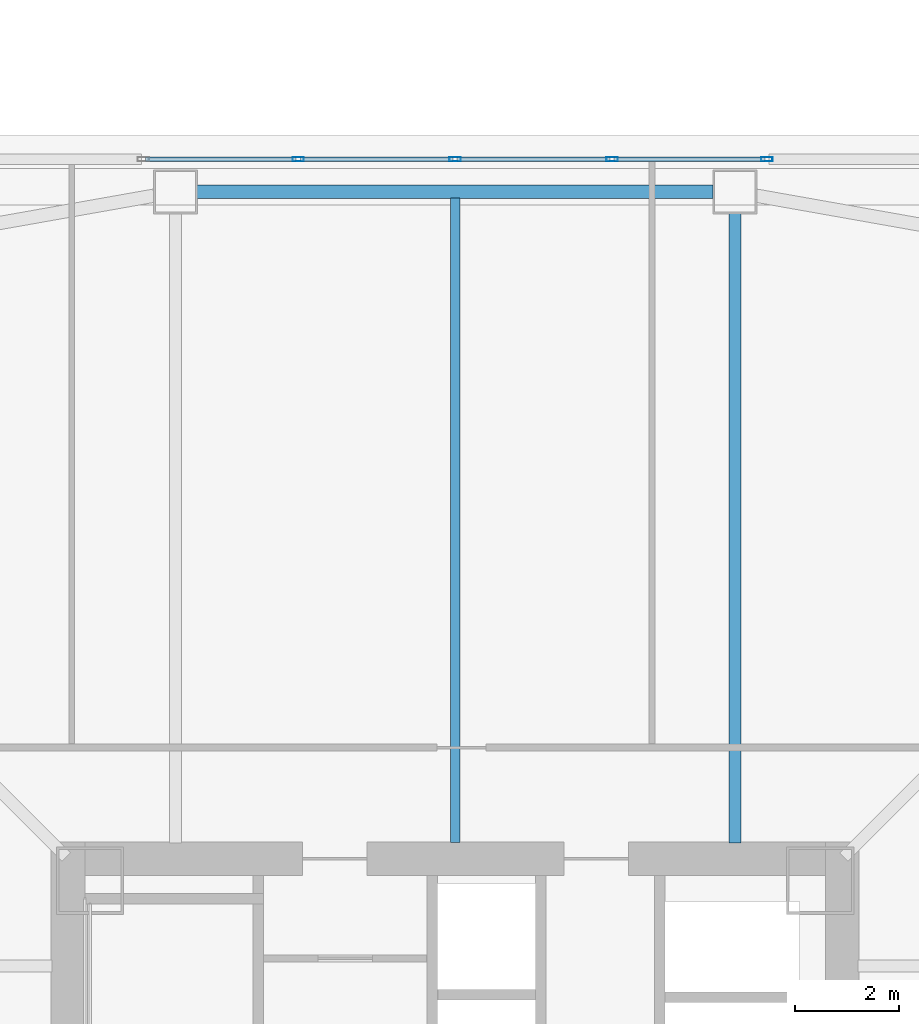
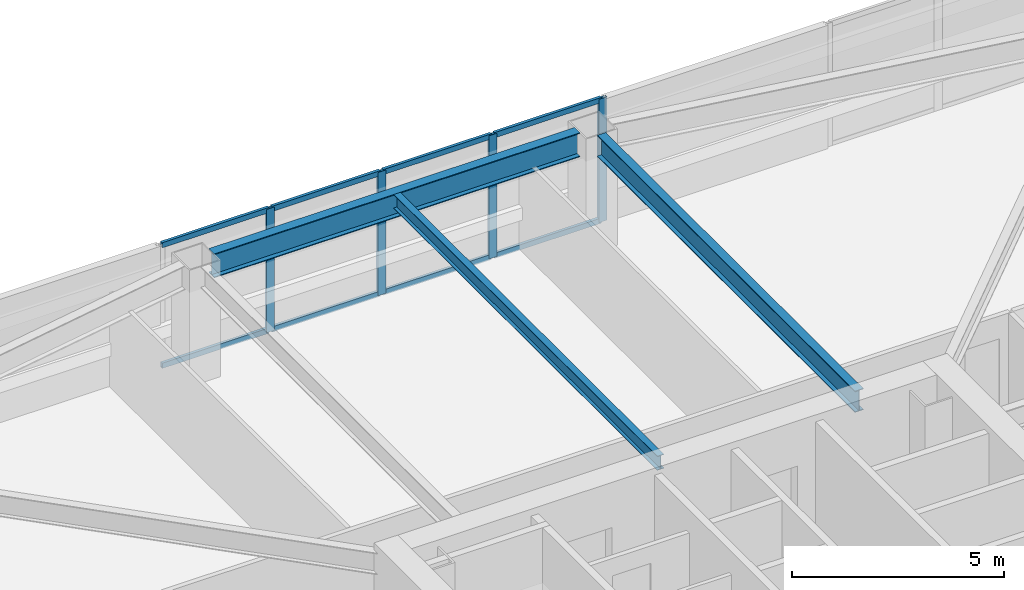
# One storey, part 13 of 44: 12 members, 3 beams, 1 element without a shape of its own.
"""IFC4 building model written with IfcOpenShell, lengths in metres."""

from ifc_helpers import new_model, si_unit, direction, frame, origin, origin_2d, place, context, subcontext, project, spatial, hollow_rectangle, i_section, extrude, material, material_profile, profile_set, type_object, element, aggregate, save


model = new_model("IFC4")

# Units and contexts
model_context = context("Model", 3, precision=1e-05, world=origin(), true_north=direction((0.0, 1.0)))
body_context = subcontext(model_context, "Body", "Model", "MODEL_VIEW")
ifc_project = project(units=[si_unit("LENGTHUNIT", "METRE"), si_unit("AREAUNIT", "SQUARE_METRE"), si_unit("VOLUMEUNIT", "CUBIC_METRE"), si_unit("PLANEANGLEUNIT", "RADIAN"), si_unit("MASSUNIT", "GRAM", prefix="KILO")], contexts=[model_context])

# Site, building, storey
site_placement = place(None, origin())
site = spatial("IfcSite", under=ifc_project, at=site_placement, CompositionType="ELEMENT")
building_placement = place(site_placement, origin())
building = spatial("IfcBuilding", under=site, at=building_placement, Name="Tashvorn Skyway Center", CompositionType="ELEMENT")
storey_placement = place(building_placement, frame((0.0, 0.0, 84.949951171875)))
storey = spatial("IfcBuildingStorey", under=building, at=storey_placement, Name="L22", CompositionType="ELEMENT", Elevation=84.949951171875)

# Beams
ifc_material_1 = material(Name="Steel ASTM A992 Grade 50", Category="steel")
ifc_material_profile_1 = material_profile(ifc_material_1, i_section(OverallWidth=0.22998046875, OverallDepth=0.616943359375, WebThickness=0.01318359375, FlangeThickness=0.022216796875, at=origin_2d()), Name="W24X94")
ifc_profile_set_1 = profile_set([ifc_material_profile_1], Name="Steel ASTM A992 Grade 50")
beam_type_1 = type_object("IfcBeamType", Name="BM-BEAM-W24X94", PredefinedType="BEAM", material=ifc_profile_set_1)
beam_1_placement = place(storey_placement, frame((47.39990234375, 51.929931640625, 3.04150390625), z_axis=(0.0, -1.0, 0.0), x_axis=(1.0, 0.0, 0.0)))
element("IfcBeam", 1, at=beam_1_placement, inside=storey, type_object=beam_type_1, Name="Tower 1 L22 Primary Floor Girder FC-N1", PredefinedType="BEAM", context=body_context, shape_type="SweptSolid", body=[
    extrude(i_section(OverallWidth=0.22998046875, OverallDepth=0.616943359375, WebThickness=0.01318359375, FlangeThickness=0.022216796875, at=origin_2d()), origin(), (0.0, 0.0, 1.0), 12.14990234375),
])
ifc_material_profile_2 = material_profile(ifc_material_1, i_section(OverallWidth=0.177978515625, OverallDepth=0.406005859375, WebThickness=0.0078125, FlangeThickness=0.0126953125, at=origin_2d()), Name="W16X40")
ifc_profile_set_2 = profile_set([ifc_material_profile_2], Name="Steel ASTM A992 Grade 50")
beam_type_2 = type_object("IfcBeamType", Name="BM-JOIST-W16X40", PredefinedType="JOIST", material=ifc_profile_set_2)
beam_2_placement = place(storey_placement, frame((42.0, 39.7900390625, 3.14697265625), z_axis=(0.0, 1.0, 0.0), x_axis=(-1.0, 0.0, 0.0)))
element("IfcBeam", 2, at=beam_2_placement, inside=storey, type_object=beam_type_2, Name="Tower 1 L22 Secondary Composite Joist JN", PredefinedType="JOIST", context=body_context, shape_type="SweptSolid", body=[
    extrude(i_section(OverallWidth=0.177978515625, OverallDepth=0.406005859375, WebThickness=0.0078125, FlangeThickness=0.0126953125, at=origin_2d()), origin(), (0.0, 0.0, 1.0), 12.43994140625),
])
ifc_material_profile_3 = material_profile(ifc_material_1, i_section(OverallWidth=0.256103515625, OverallDepth=0.693115234375, WebThickness=0.014404296875, FlangeThickness=0.023681640625, at=origin_2d()), Name="W27X114")
ifc_profile_set_3 = profile_set([ifc_material_profile_3], Name="Steel ASTM A992 Grade 50")
beam_type_3 = type_object("IfcBeamType", Name="BM-SPANDREL-W27X114", PredefinedType="SPANDREL", material=ifc_profile_set_3)
beam_3_placement = place(storey_placement, frame((46.97998046875, 52.35009765625, 3.003662109375), z_axis=(-1.0, 0.0, 0.0), x_axis=(0.0, -1.0, 0.0)))
element("IfcBeam", 3, at=beam_3_placement, inside=storey, type_object=beam_type_3, Name="Tower 1 L22 Spandrel Beam 08", PredefinedType="SPANDREL", context=body_context, shape_type="SweptSolid", body=[
    extrude(i_section(OverallWidth=0.256103515625, OverallDepth=0.693115234375, WebThickness=0.014404296875, FlangeThickness=0.023681640625, at=origin_2d()), origin(), (0.0, 0.0, 1.0), 9.9599609375),
])

# Curtain wall, members
ifc_material_2 = material(Name="Thermally broken bronze-anodized aluminium 6063-T6", Category="aluminium")
curtain_wall_type = type_object("IfcCurtainWallType", Name="CW-CW-Z2", PredefinedType="NOTDEFINED", material=ifc_material_2)
curtain_wall_placement = place(storey_placement, origin())
curtain_wall = element("IfcCurtainWall", 4, at=curtain_wall_placement, inside=storey, type_object=curtain_wall_type, Name="Tower 1 L22 North Unitised Curtain Wall Glazing Group 2", PredefinedType="NOTDEFINED")
ifc_material_profile_4 = material_profile(ifc_material_2, hollow_rectangle(XDim=0.080078125, YDim=0.219970703125, WallThickness=0.0048828125, at=origin_2d()), Name="ALU-MULL-80x220")
ifc_profile_set_4 = profile_set([ifc_material_profile_4], Name="Thermally broken bronze-anodized aluminium 6063-T6")
member_type_1 = type_object("IfcMemberType", Name="CWM-CW-Z2", PredefinedType="MULLION", material=ifc_profile_set_4)
member_1_placement = place(storey_placement, frame((38.969970703125, 52.97998046875, 0.0), z_axis=(0.0, 0.0, 1.0), x_axis=(0.0, 1.0, 0.0)))
member_1 = element("IfcMember", 5, at=member_1_placement, type_object=member_type_1, Name="CW-Z2 mullion 2", PredefinedType="MULLION", context=body_context, shape_type="SweptSolid", body=[
    extrude(hollow_rectangle(XDim=0.080078125, YDim=0.219970703125, WallThickness=0.0048828125, at=origin_2d()), origin(), (0.0, 0.0, 1.0), 3.550048828125),
])
member_2_placement = place(storey_placement, frame((42.0, 52.97998046875, 0.0), z_axis=(0.0, 0.0, 1.0), x_axis=(0.0, 1.0, 0.0)))
member_2 = element("IfcMember", 6, at=member_2_placement, type_object=member_type_1, Name="CW-Z2 mullion 3", PredefinedType="MULLION", context=body_context, shape_type="SweptSolid", body=[
    extrude(hollow_rectangle(XDim=0.080078125, YDim=0.219970703125, WallThickness=0.0048828125, at=origin_2d()), origin(), (0.0, 0.0, 1.0), 3.550048828125),
])
member_3_placement = place(storey_placement, frame((45.030029296875, 52.97998046875, 0.0), z_axis=(0.0, 0.0, 1.0), x_axis=(0.0, 1.0, 0.0)))
member_3 = element("IfcMember", 7, at=member_3_placement, type_object=member_type_1, Name="CW-Z2 mullion 4", PredefinedType="MULLION", context=body_context, shape_type="SweptSolid", body=[
    extrude(hollow_rectangle(XDim=0.080078125, YDim=0.219970703125, WallThickness=0.0048828125, at=origin_2d()), origin(), (0.0, 0.0, 1.0), 3.550048828125),
])
member_4_placement = place(storey_placement, frame((48.02001953125, 52.97998046875, 0.0), z_axis=(0.0, 0.0, 1.0), x_axis=(0.0, 1.0, 0.0)))
member_4 = element("IfcMember", 8, at=member_4_placement, type_object=member_type_1, Name="CW-Z2 mullion 5", PredefinedType="MULLION", context=body_context, shape_type="SweptSolid", body=[
    extrude(hollow_rectangle(XDim=0.080078125, YDim=0.219970703125, WallThickness=0.0048828125, at=origin_2d()), origin(), (0.0, 0.0, 1.0), 3.550048828125),
])
ifc_material_profile_5 = material_profile(ifc_material_2, hollow_rectangle(XDim=0.080078125, YDim=0.14990234375, WallThickness=0.00439453125, at=origin_2d()), Name="ALU-TRAN-80x150")
ifc_profile_set_5 = profile_set([ifc_material_profile_5], Name="Thermally broken bronze-anodized aluminium 6063-T6")
member_type_2 = type_object("IfcMemberType", Name="CWT-CW-Z2", PredefinedType="USERDEFINED", material=ifc_profile_set_5)
member_5_placement = place(storey_placement, frame((36.02001953125, 52.97998046875, 0.0400390625), z_axis=(1.0, 0.0, 0.0), x_axis=(0.0, 1.0, 0.0)))
member_5 = element("IfcMember", 9, at=member_5_placement, type_object=member_type_2, Name="CW-Z2 transom 1.1", ObjectType="TRANSOM", PredefinedType="USERDEFINED", context=body_context, shape_type="SweptSolid", body=[
    extrude(hollow_rectangle(XDim=0.080078125, YDim=0.14990234375, WallThickness=0.00439453125, at=origin_2d()), origin(), (0.0, 0.0, 1.0), 2.909912109375),
])
member_6_placement = place(storey_placement, frame((36.02001953125, 52.97998046875, 3.510009765625), z_axis=(1.0, 0.0, 0.0), x_axis=(0.0, 1.0, 0.0)))
member_6 = element("IfcMember", 10, at=member_6_placement, type_object=member_type_2, Name="CW-Z2 transom 1.2", ObjectType="TRANSOM", PredefinedType="USERDEFINED", context=body_context, shape_type="SweptSolid", body=[
    extrude(hollow_rectangle(XDim=0.080078125, YDim=0.14990234375, WallThickness=0.00439453125, at=origin_2d()), origin(), (0.0, 0.0, 1.0), 2.909912109375),
])
member_7_placement = place(storey_placement, frame((39.010009765625, 52.97998046875, 0.0400390625), z_axis=(1.0, 0.0, 0.0), x_axis=(0.0, 1.0, 0.0)))
member_7 = element("IfcMember", 11, at=member_7_placement, type_object=member_type_2, Name="CW-Z2 transom 2.1", ObjectType="TRANSOM", PredefinedType="USERDEFINED", context=body_context, shape_type="SweptSolid", body=[
    extrude(hollow_rectangle(XDim=0.080078125, YDim=0.14990234375, WallThickness=0.00439453125, at=origin_2d()), origin(), (0.0, 0.0, 1.0), 2.949951171875),
])
member_8_placement = place(storey_placement, frame((39.010009765625, 52.97998046875, 3.510009765625), z_axis=(1.0, 0.0, 0.0), x_axis=(0.0, 1.0, 0.0)))
member_8 = element("IfcMember", 12, at=member_8_placement, type_object=member_type_2, Name="CW-Z2 transom 2.2", ObjectType="TRANSOM", PredefinedType="USERDEFINED", context=body_context, shape_type="SweptSolid", body=[
    extrude(hollow_rectangle(XDim=0.080078125, YDim=0.14990234375, WallThickness=0.00439453125, at=origin_2d()), origin(), (0.0, 0.0, 1.0), 2.949951171875),
])
member_9_placement = place(storey_placement, frame((42.0400390625, 52.97998046875, 0.0400390625), z_axis=(1.0, 0.0, 0.0), x_axis=(0.0, 1.0, 0.0)))
member_9 = element("IfcMember", 13, at=member_9_placement, type_object=member_type_2, Name="CW-Z2 transom 3.1", ObjectType="TRANSOM", PredefinedType="USERDEFINED", context=body_context, shape_type="SweptSolid", body=[
    extrude(hollow_rectangle(XDim=0.080078125, YDim=0.14990234375, WallThickness=0.00439453125, at=origin_2d()), origin(), (0.0, 0.0, 1.0), 2.949951171875),
])
member_10_placement = place(storey_placement, frame((42.0400390625, 52.97998046875, 3.510009765625), z_axis=(1.0, 0.0, 0.0), x_axis=(0.0, 1.0, 0.0)))
member_10 = element("IfcMember", 14, at=member_10_placement, type_object=member_type_2, Name="CW-Z2 transom 3.2", ObjectType="TRANSOM", PredefinedType="USERDEFINED", context=body_context, shape_type="SweptSolid", body=[
    extrude(hollow_rectangle(XDim=0.080078125, YDim=0.14990234375, WallThickness=0.00439453125, at=origin_2d()), origin(), (0.0, 0.0, 1.0), 2.949951171875),
])
member_11_placement = place(storey_placement, frame((45.070068359375, 52.97998046875, 0.0400390625), z_axis=(1.0, 0.0, 0.0), x_axis=(0.0, 1.0, 0.0)))
member_11 = element("IfcMember", 15, at=member_11_placement, type_object=member_type_2, Name="CW-Z2 transom 4.1", ObjectType="TRANSOM", PredefinedType="USERDEFINED", context=body_context, shape_type="SweptSolid", body=[
    extrude(hollow_rectangle(XDim=0.080078125, YDim=0.14990234375, WallThickness=0.00439453125, at=origin_2d()), origin(), (0.0, 0.0, 1.0), 2.909912109375),
])
member_12_placement = place(storey_placement, frame((45.070068359375, 52.97998046875, 3.510009765625), z_axis=(1.0, 0.0, 0.0), x_axis=(0.0, 1.0, 0.0)))
member_12 = element("IfcMember", 16, at=member_12_placement, type_object=member_type_2, Name="CW-Z2 transom 4.2", ObjectType="TRANSOM", PredefinedType="USERDEFINED", context=body_context, shape_type="SweptSolid", body=[
    extrude(hollow_rectangle(XDim=0.080078125, YDim=0.14990234375, WallThickness=0.00439453125, at=origin_2d()), origin(), (0.0, 0.0, 1.0), 2.909912109375),
])
aggregate(curtain_wall, [member_1, member_2, member_3, member_4, member_5, member_6, member_7, member_8, member_9, member_10, member_11, member_12])

save(model, "model.ifc")
